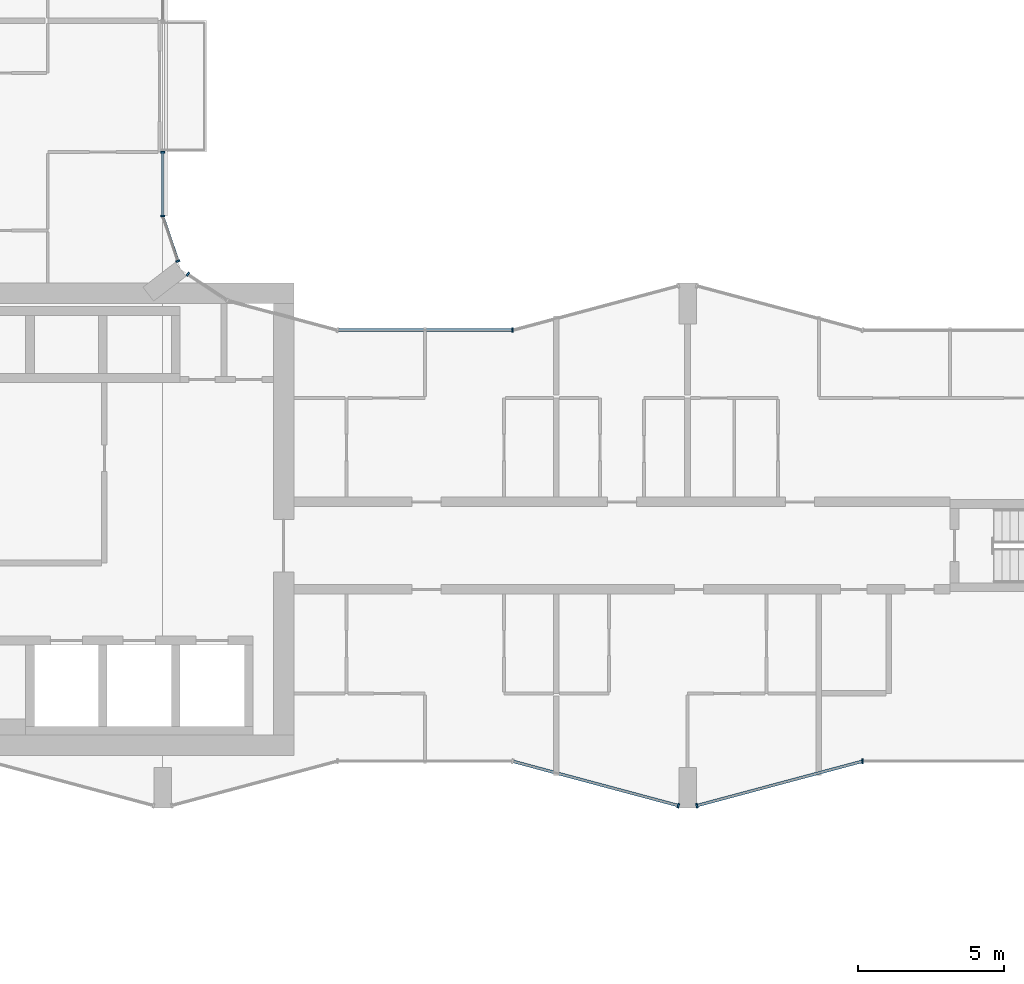
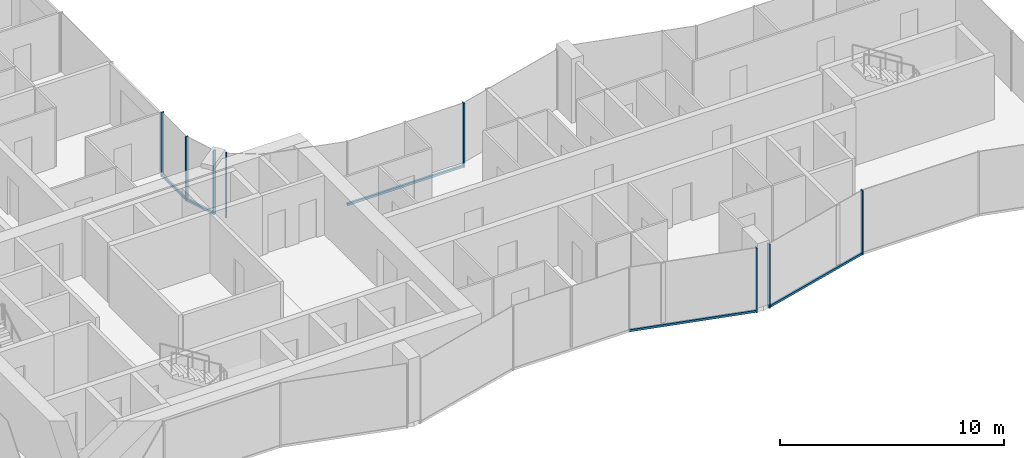
# One storey, part 4 of 23: 13 members, 7 elements without a shape of their own.
"""IFC4 building model written with IfcOpenShell, lengths in metres."""

from ifc_helpers import new_model, si_unit, direction, frame, origin, origin_2d, place, context, subcontext, project, spatial, rectangle, extrude, material, layer, layer_set, material_profile, profile_set, type_object, element, aggregate, save


model = new_model("IFC4")

# Units and contexts
model_context = context("Model", 3, precision=1e-05, world=origin(), true_north=direction((0.0, 1.0)))
body_context = subcontext(model_context, "Body", "Model", "MODEL_VIEW")
ifc_project = project(units=[si_unit("LENGTHUNIT", "METRE"), si_unit("AREAUNIT", "SQUARE_METRE"), si_unit("VOLUMEUNIT", "CUBIC_METRE"), si_unit("PLANEANGLEUNIT", "RADIAN"), si_unit("MASSUNIT", "GRAM", prefix="KILO")], contexts=[model_context])

# Site, building, storey
site_placement = place(None, origin())
site = spatial("IfcSite", under=ifc_project, at=site_placement, CompositionType="ELEMENT")
building_placement = place(site_placement, origin())
building = spatial("IfcBuilding", under=site, at=building_placement, Name="Plateau Cross Towers", CompositionType="ELEMENT")
storey_placement = place(building_placement, frame((0.0, 0.0, 81.800048828125)))
storey = spatial("IfcBuildingStorey", under=building, at=storey_placement, Name="L20", CompositionType="ELEMENT", Elevation=81.800048828125)

# Curtain wall, member
ifc_material_1 = material(Name="Dark low-iron glass", Category="glass")
ifc_layer_1 = layer(ifc_material_1, 0.239990234375)
ifc_layer_set_1 = layer_set([ifc_layer_1], Name="Dark low-iron glass")
curtain_wall_type_1 = type_object("IfcCurtainWallType", Name="Curtain wall flush unitised CW-B", PredefinedType="NOTDEFINED", material=ifc_layer_set_1)
curtain_wall_1_placement = place(storey_placement, origin())
curtain_wall_1 = element("IfcCurtainWall", 1, at=curtain_wall_1_placement, inside=storey, type_object=curtain_wall_type_1, Name="ENV/A/L20/A202_174", PredefinedType="NOTDEFINED")
ifc_material_2 = material(Name="Black anodised aluminium", Category="aluminium")
ifc_material_profile_1 = material_profile(ifc_material_2, rectangle(XDim=0.06005859375, YDim=0.139892578125, at=origin_2d()), Name="MULLION 60x140")
ifc_profile_set_1 = profile_set([ifc_material_profile_1], Name="Black anodised aluminium")
member_type_1 = type_object("IfcMemberType", Name="Mullion 60x140 flush unitised", PredefinedType="MULLION", material=ifc_profile_set_1)
member_1_placement = place(storey_placement, frame((18.86962890625, 18.30908203125, -0.25), z_axis=(0.0, 0.0, 1.0), x_axis=(-0.831521253329, 0.555492938984, 0.0)))
member_1 = element("IfcMember", 2, at=member_1_placement, type_object=member_type_1, Name="CW-B mullion 2", PredefinedType="MULLION", context=body_context, shape_type="SweptSolid", body=[
    extrude(rectangle(XDim=0.06005859375, YDim=0.139892578125, at=origin_2d()), origin(), (0.0, 0.0, 1.0), 3.5),
])
aggregate(curtain_wall_1, [member_1])

curtain_wall_2_placement = place(storey_placement, origin())
curtain_wall_2 = element("IfcCurtainWall", 3, at=curtain_wall_2_placement, inside=storey, type_object=curtain_wall_type_1, Name="ENV/A/L20/A185_188", PredefinedType="NOTDEFINED")
member_2_placement = place(storey_placement, frame((18.523681640625, 18.760009765625, -0.25), z_axis=(0.0, 0.0, 1.0), x_axis=(-0.321469161574, 0.94692004845, 0.0)))
member_2 = element("IfcMember", 4, at=member_2_placement, type_object=member_type_1, Name="CW-B mullion 1", PredefinedType="MULLION", context=body_context, shape_type="SweptSolid", body=[
    extrude(rectangle(XDim=0.06005859375, YDim=0.139892578125, at=origin_2d()), origin(), (0.0, 0.0, 1.0), 3.5),
])

# Curtain wall, members
curtain_wall_3_placement = place(storey_placement, origin())
curtain_wall_3 = element("IfcCurtainWall", 5, at=curtain_wall_3_placement, inside=storey, type_object=curtain_wall_type_1, Name="ENV/A/L20/A180_203", PredefinedType="NOTDEFINED")
member_3_placement = place(storey_placement, frame((18.0, 20.30224609375, -0.25), z_axis=(0.0, 0.0, 1.0), x_axis=(0.0, 1.0, 0.0)))
member_3 = element("IfcMember", 6, at=member_3_placement, type_object=member_type_1, Name="CW-B mullion 1", PredefinedType="MULLION", context=body_context, shape_type="SweptSolid", body=[
    extrude(rectangle(XDim=0.06005859375, YDim=0.139892578125, at=origin_2d()), origin(), (0.0, 0.0, 1.0), 3.5),
])
member_4_placement = place(storey_placement, frame((18.0, 22.489990234375, -0.25), z_axis=(0.0, 0.0, 1.0), x_axis=(0.0, 1.0, 0.0)))
member_4 = element("IfcMember", 7, at=member_4_placement, type_object=member_type_1, Name="CW-B mullion 2", PredefinedType="MULLION", context=body_context, shape_type="SweptSolid", body=[
    extrude(rectangle(XDim=0.06005859375, YDim=0.139892578125, at=origin_2d()), origin(), (0.0, 0.0, 1.0), 3.5),
])

# Curtain wall, member
ifc_layer_2 = layer(ifc_material_1, 0.260009765625)
ifc_layer_set_2 = layer_set([ifc_layer_2], Name="Dark low-iron glass")
curtain_wall_type_2 = type_object("IfcCurtainWallType", Name="Curtain wall fluted unitised CW-A", PredefinedType="NOTDEFINED", material=ifc_layer_set_2)
curtain_wall_4_placement = place(storey_placement, origin())
curtain_wall_4 = element("IfcCurtainWall", 8, at=curtain_wall_4_placement, inside=storey, type_object=curtain_wall_type_2, Name="ENV/A/L20/A300_16", PredefinedType="NOTDEFINED")
ifc_material_profile_2 = material_profile(ifc_material_2, rectangle(XDim=0.06005859375, YDim=0.159912109375, at=origin_2d()), Name="MULLION 60x160")
ifc_profile_set_2 = profile_set([ifc_material_profile_2], Name="Black anodised aluminium")
member_type_2 = type_object("IfcMemberType", Name="Mullion 60x160 fluted unitised", PredefinedType="MULLION", material=ifc_profile_set_2)
member_5_placement = place(storey_placement, frame((35.68212890625, 0.085205078125, -0.25), z_axis=(0.0, 0.0, 1.0), x_axis=(0.965957983404, -0.258699003279, 0.0)))
member_5 = element("IfcMember", 9, at=member_5_placement, type_object=member_type_2, Name="CW-A mullion 2", PredefinedType="MULLION", context=body_context, shape_type="SweptSolid", body=[
    extrude(rectangle(XDim=0.06005859375, YDim=0.159912109375, at=origin_2d()), origin(), (0.0, 0.0, 1.0), 3.5),
])

curtain_wall_5_placement = place(storey_placement, origin())
curtain_wall_5 = element("IfcCurtainWall", 10, at=curtain_wall_5_placement, inside=storey, type_object=curtain_wall_type_2, Name="ENV/A/L20/A363_1", PredefinedType="NOTDEFINED")
member_6_placement = place(storey_placement, frame((36.31787109375, 0.085205078125, -0.25), z_axis=(0.0, 0.0, 1.0), x_axis=(0.965957983404, 0.258699003279, 0.0)))
member_6 = element("IfcMember", 11, at=member_6_placement, type_object=member_type_2, Name="CW-A mullion 1", PredefinedType="MULLION", context=body_context, shape_type="SweptSolid", body=[
    extrude(rectangle(XDim=0.06005859375, YDim=0.159912109375, at=origin_2d()), origin(), (0.0, 0.0, 1.0), 3.5),
])

curtain_wall_6_placement = place(storey_placement, origin())
curtain_wall_6 = element("IfcCurtainWall", 12, at=curtain_wall_6_placement, inside=storey, type_object=curtain_wall_type_2, Name="ENV/A/L20/A420_16", PredefinedType="NOTDEFINED")
member_7_placement = place(storey_placement, frame((42.0, 1.60693359375, -0.25), z_axis=(0.0, 0.0, 1.0), x_axis=(1.0, 0.0, 0.0)))
member_7 = element("IfcMember", 13, at=member_7_placement, type_object=member_type_2, Name="CW-A mullion 1", PredefinedType="MULLION", context=body_context, shape_type="SweptSolid", body=[
    extrude(rectangle(XDim=0.06005859375, YDim=0.159912109375, at=origin_2d()), origin(), (0.0, 0.0, 1.0), 3.5),
])
aggregate(curtain_wall_6, [member_7])

curtain_wall_7_placement = place(storey_placement, origin())
curtain_wall_7 = element("IfcCurtainWall", 14, at=curtain_wall_7_placement, inside=storey, type_object=curtain_wall_type_2, Name="ENV/A/L20/A300_164", PredefinedType="NOTDEFINED")
member_8_placement = place(storey_placement, frame((30.0, 16.39306640625, -0.25), z_axis=(0.0, 0.0, 1.0), x_axis=(-1.0, 0.0, 0.0)))
member_8 = element("IfcMember", 15, at=member_8_placement, type_object=member_type_2, Name="CW-A mullion 1", PredefinedType="MULLION", context=body_context, shape_type="SweptSolid", body=[
    extrude(rectangle(XDim=0.06005859375, YDim=0.159912109375, at=origin_2d()), origin(), (0.0, 0.0, 1.0), 3.5),
])

# Member
ifc_material_profile_3 = material_profile(ifc_material_2, rectangle(XDim=0.10009765625, YDim=0.1201171875, at=origin_2d()), Name="TRANSOM 100x120")
ifc_profile_set_3 = profile_set([ifc_material_profile_3], Name="Black anodised aluminium")
member_type_3 = type_object("IfcMemberType", Name="Transom 100x120 flush unitised", PredefinedType="USERDEFINED", material=ifc_profile_set_3)
member_9_placement = place(storey_placement, frame((18.523681640625, 18.760009765625, -0.18994140625), z_axis=(-0.321529174838, 0.946899672472, 0.0), x_axis=(-0.946899672472, -0.321529174838, 0.0)))
member_9 = element("IfcMember", 16, at=member_9_placement, type_object=member_type_3, Name="CW-B transom", ObjectType="TRANSOM", PredefinedType="USERDEFINED", context=body_context, shape_type="SweptSolid", body=[
    extrude(rectangle(XDim=0.10009765625, YDim=0.1201171875, at=origin_2d()), origin(), (0.0, 0.0, 1.0), 1.628662109375),
])

aggregate(curtain_wall_2, [member_2, member_9])

member_10_placement = place(storey_placement, frame((18.0, 20.30224609375, -0.18994140625), z_axis=(0.0, 1.0, 0.0), x_axis=(-1.0, 0.0, 0.0)))
member_10 = element("IfcMember", 17, at=member_10_placement, type_object=member_type_3, Name="CW-B transom", ObjectType="TRANSOM", PredefinedType="USERDEFINED", context=body_context, shape_type="SweptSolid", body=[
    extrude(rectangle(XDim=0.10009765625, YDim=0.1201171875, at=origin_2d()), origin(), (0.0, 0.0, 1.0), 2.187744140625),
])

aggregate(curtain_wall_3, [member_3, member_4, member_10])

ifc_material_profile_4 = material_profile(ifc_material_2, rectangle(XDim=0.10009765625, YDim=0.1201171875, at=origin_2d()), Name="TRANSOM 100x120")
ifc_profile_set_4 = profile_set([ifc_material_profile_4], Name="Black anodised aluminium")
member_type_4 = type_object("IfcMemberType", Name="Transom 100x120 fluted unitised", PredefinedType="USERDEFINED", material=ifc_profile_set_4)
member_11_placement = place(storey_placement, frame((30.0, 1.60693359375, -0.18994140625), z_axis=(0.965959534794, -0.258693210465, 0.0), x_axis=(0.258693210465, 0.965959534794, 0.0)))
member_11 = element("IfcMember", 18, at=member_11_placement, type_object=member_type_4, Name="CW-A transom", ObjectType="TRANSOM", PredefinedType="USERDEFINED", context=body_context, shape_type="SweptSolid", body=[
    extrude(rectangle(XDim=0.10009765625, YDim=0.1201171875, at=origin_2d()), origin(), (0.0, 0.0, 1.0), 5.88232421875),
])

aggregate(curtain_wall_4, [member_5, member_11])

member_12_placement = place(storey_placement, frame((36.31787109375, 0.085205078125, -0.18994140625), z_axis=(0.965959534794, 0.258693210465, 0.0), x_axis=(-0.258693210465, 0.965959534794, 0.0)))
member_12 = element("IfcMember", 19, at=member_12_placement, type_object=member_type_4, Name="CW-A transom", ObjectType="TRANSOM", PredefinedType="USERDEFINED", context=body_context, shape_type="SweptSolid", body=[
    extrude(rectangle(XDim=0.10009765625, YDim=0.1201171875, at=origin_2d()), origin(), (0.0, 0.0, 1.0), 5.88232421875),
])

aggregate(curtain_wall_5, [member_6, member_12])

member_13_placement = place(storey_placement, frame((30.0, 16.39306640625, -0.18994140625), z_axis=(-1.0, 0.0, 0.0), x_axis=(0.0, -1.0, 0.0)))
member_13 = element("IfcMember", 20, at=member_13_placement, type_object=member_type_4, Name="CW-A transom", ObjectType="TRANSOM", PredefinedType="USERDEFINED", context=body_context, shape_type="SweptSolid", body=[
    extrude(rectangle(XDim=0.10009765625, YDim=0.1201171875, at=origin_2d()), origin(), (0.0, 0.0, 1.0), 6.0),
])

aggregate(curtain_wall_7, [member_8, member_13])

save(model, "model.ifc")
